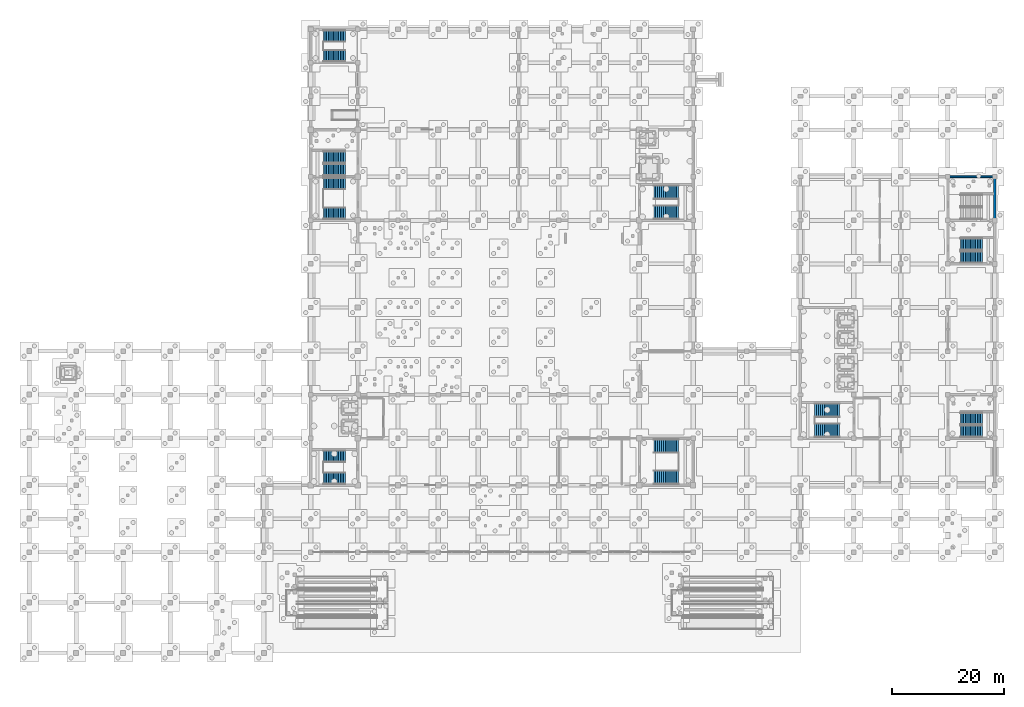
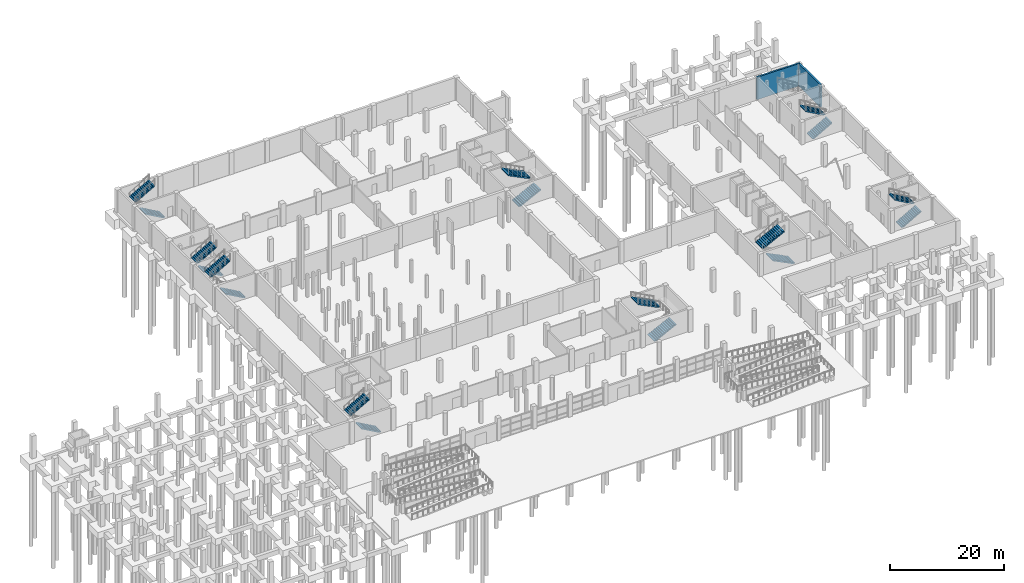
# One storey, part 36 of 42: 18 stair flights, 2 walls, 9 elements without a shape of their own.
"""IFC4 building model written with IfcOpenShell, lengths in metres."""

from ifc_helpers import new_model, si_unit, direction, frame, frame_2d, origin, place, context, subcontext, project, spatial, polyline, rectangle, outline, extrude, material, layer, layer_set, type_object, element, aggregate, save


model = new_model("IFC4")

# Units and contexts
model_context = context("Model", 3, precision=1e-05, world=origin(), true_north=direction((0.0, 1.0)))
body_context = subcontext(model_context, "Body", "Model", "MODEL_VIEW")
ifc_project = project(units=[si_unit("LENGTHUNIT", "METRE"), si_unit("AREAUNIT", "SQUARE_METRE"), si_unit("VOLUMEUNIT", "CUBIC_METRE"), si_unit("PLANEANGLEUNIT", "RADIAN"), si_unit("MASSUNIT", "GRAM", prefix="KILO")], contexts=[model_context])

# Site, building, storey
site_placement = place(None, origin())
site = spatial("IfcSite", under=ifc_project, at=site_placement, CompositionType="ELEMENT")
building_placement = place(site_placement, origin())
building = spatial("IfcBuilding", under=site, at=building_placement, Name="Pellamere Symphony Hall", CompositionType="ELEMENT")
storey_placement = place(building_placement, frame((0.0, 0.0, -4.800048828125)))
storey = spatial("IfcBuildingStorey", under=building, at=storey_placement, Name="B1", CompositionType="ELEMENT", Elevation=-4.800048828125)

# Walls
ifc_material = material(Name="Concrete 40 MPa", Category="concrete")
ifc_layer_1 = layer(ifc_material, 0.35009765625, Name="Concrete 40 MPa")
ifc_layer_set_1 = layer_set([ifc_layer_1], Name="Concrete 40 MPa")
wall_type_1 = type_object("IfcWallType", Name="Structural Wall SW-03 350mm", PredefinedType="SHEAR", material=ifc_layer_set_1)
wall_1_placement = place(storey_placement, frame((164.22509765625, 85.199951171875, 0.0), z_axis=(0.0, 0.0, 1.0), x_axis=(1.0, 0.0, 0.0)))
element("IfcWall", 1, at=wall_1_placement, inside=storey, type_object=wall_type_1, Name="Stair ST14 Enclosure Wall N (B1)", PredefinedType="SHEAR", context=body_context, shape_type="SweptSolid", body=[
    extrude(rectangle(XDim=8.75, YDim=0.35009765625, at=frame_2d((4.375, 0.0))), origin(), (0.0, 0.0, 1.0), 4.800048828125),
])
ifc_layer_2 = layer(ifc_material, 0.3798828125, Name="Concrete 40 MPa")
ifc_layer_set_2 = layer_set([ifc_layer_2], Name="Concrete 40 MPa")
wall_type_2 = type_object("IfcWallType", Name="Structural Wall SW-07 380mm", PredefinedType="SHEAR", material=ifc_layer_set_2)
wall_2_placement = place(storey_placement, frame((172.800048828125, 77.574951171875, 0.0), z_axis=(0.0, 0.0, 1.0), x_axis=(0.0, 1.0, 0.0)))
element("IfcWall", 2, at=wall_2_placement, inside=storey, type_object=wall_type_2, Name="Stair ST14 Enclosure Wall E (B1)", PredefinedType="SHEAR", context=body_context, shape_type="SweptSolid", body=[
    extrude(rectangle(XDim=7.449951171875, YDim=0.3798828125, at=frame_2d((3.72509765625, 0.0))), origin(), (0.0, 0.0, 1.0), 4.800048828125),
])

# Stair, stair flights
stair_type_1 = type_object("IfcStairType", Name="Stair ST-A W2400", PredefinedType="HALF_TURN_STAIR", material=ifc_material)
stair_1_placement = place(storey_placement, origin())
stair_1 = element("IfcStair", 3, at=stair_1_placement, inside=storey, type_object=stair_type_1, Name="Exit Stair ST02-B1 (B1 to L00)", PredefinedType="HALF_TURN_STAIR")
stair_flight_type_1 = type_object("IfcStairFlightType", Name="Stair Flight SF-A W2400", PredefinedType="STRAIGHT", material=ifc_material)
stair_flight_1_placement = place(storey_placement, frame((145.02490234375, 39.760009765625, 0.0), z_axis=(0.0, 0.0, 1.0), x_axis=(-1.0, 0.0, 0.0)))
stair_flight_1 = element("IfcStairFlight", 4, at=stair_flight_1_placement, type_object=stair_flight_type_1, Name="Stair ST02-B1 Lower Flight (B1)", NumberOfRisers=14, NumberOfTreads=13, PredefinedType="STRAIGHT", RiserHeight=0.17143, TreadLength=0.34231, context=body_context, shape_type="SweptSolid", body=[
    extrude(outline(polyline([(0.0, 0.0), (0.0, 0.17138671875), (0.34228515625, 0.17138671875), (0.34228515625, 0.3427734375), (0.6845703125, 0.3427734375), (0.6845703125, 0.514404296875), (1.02685546875, 0.514404296875), (1.02685546875, 0.685791015625), (1.369140625, 0.685791015625), (1.369140625, 0.857177734375), (1.711669921875, 0.857177734375), (1.711669921875, 1.028564453125), (2.053955078125, 1.028564453125), (2.053955078125, 1.199951171875), (2.396240234375, 1.199951171875), (2.396240234375, 1.371337890625), (2.738525390625, 1.371337890625), (2.738525390625, 1.54296875), (3.080810546875, 1.54296875), (3.080810546875, 1.71435546875), (3.423095703125, 1.71435546875), (3.423095703125, 1.8857421875), (3.765380859375, 1.8857421875), (3.765380859375, 2.05712890625), (4.107666015625, 2.05712890625), (4.107666015625, 2.228515625), (4.449951171875, 2.228515625), (4.449951171875, 2.39990234375), (4.449951171875, 2.0048828125), (0.446533203125, 0.0), (0.0, 0.0)])), frame((0.0, 1.199951171875, 0.0), z_axis=(0.0, -1.0, 0.0), x_axis=(1.0, 0.0, 0.0)), (0.0, 0.0, 1.0), 2.39990234375),
])
stair_flight_2_placement = place(storey_placement, frame((140.574951171875, 43.43994140625, 2.400146484375), z_axis=(0.0, 0.0, 1.0), x_axis=(1.0, 0.0, 0.0)))
stair_flight_2 = element("IfcStairFlight", 5, at=stair_flight_2_placement, type_object=stair_flight_type_1, Name="Stair ST02-B1 Upper Flight (B1)", NumberOfRisers=14, NumberOfTreads=13, PredefinedType="STRAIGHT", RiserHeight=0.17143, TreadLength=0.34231, context=body_context, shape_type="SweptSolid", body=[
    extrude(outline(polyline([(0.0, 0.0), (0.0, 0.17138671875), (0.34228515625, 0.17138671875), (0.34228515625, 0.3427734375), (0.6845703125, 0.3427734375), (0.6845703125, 0.514404296875), (1.02685546875, 0.514404296875), (1.02685546875, 0.685791015625), (1.369140625, 0.685791015625), (1.369140625, 0.857177734375), (1.711669921875, 0.857177734375), (1.711669921875, 1.028564453125), (2.053955078125, 1.028564453125), (2.053955078125, 1.199951171875), (2.396240234375, 1.199951171875), (2.396240234375, 1.371337890625), (2.738525390625, 1.371337890625), (2.738525390625, 1.54296875), (3.080810546875, 1.54296875), (3.080810546875, 1.71435546875), (3.423095703125, 1.71435546875), (3.423095703125, 1.8857421875), (3.765380859375, 1.8857421875), (3.765380859375, 2.05712890625), (4.107666015625, 2.05712890625), (4.107666015625, 2.228515625), (4.449951171875, 2.228515625), (4.449951171875, 2.39990234375), (4.449951171875, 2.0048828125), (0.446533203125, 0.0), (0.0, 0.0)])), frame((0.0, 1.199951171875, 0.0), z_axis=(0.0, -1.0, 0.0), x_axis=(1.0, 0.0, 0.0)), (0.0, 0.0, 1.0), 2.39990234375),
])
aggregate(stair_1, [stair_flight_1, stair_flight_2])

stair_2_placement = place(storey_placement, origin())
stair_2 = element("IfcStair", 6, at=stair_2_placement, inside=storey, type_object=stair_type_1, Name="Exit Stair ST04-B1 (B1 to L00)", PredefinedType="HALF_TURN_STAIR")
stair_flight_3_placement = place(storey_placement, frame((111.77490234375, 78.760009765625, 0.0), z_axis=(0.0, 0.0, 1.0), x_axis=(1.0, 0.0, 0.0)))
stair_flight_3 = element("IfcStairFlight", 7, at=stair_flight_3_placement, type_object=stair_flight_type_1, Name="Stair ST04-B1 Lower Flight (B1)", NumberOfRisers=14, NumberOfTreads=13, PredefinedType="STRAIGHT", RiserHeight=0.17143, TreadLength=0.34231, context=body_context, shape_type="SweptSolid", body=[
    extrude(outline(polyline([(0.0, 0.0), (0.0, 0.17138671875), (0.34228515625, 0.17138671875), (0.34228515625, 0.3427734375), (0.6845703125, 0.3427734375), (0.6845703125, 0.514404296875), (1.02685546875, 0.514404296875), (1.02685546875, 0.685791015625), (1.369140625, 0.685791015625), (1.369140625, 0.857177734375), (1.711669921875, 0.857177734375), (1.711669921875, 1.028564453125), (2.053955078125, 1.028564453125), (2.053955078125, 1.199951171875), (2.396240234375, 1.199951171875), (2.396240234375, 1.371337890625), (2.738525390625, 1.371337890625), (2.738525390625, 1.54296875), (3.080810546875, 1.54296875), (3.080810546875, 1.71435546875), (3.423095703125, 1.71435546875), (3.423095703125, 1.8857421875), (3.765380859375, 1.8857421875), (3.765380859375, 2.05712890625), (4.107666015625, 2.05712890625), (4.107666015625, 2.228515625), (4.449951171875, 2.228515625), (4.449951171875, 2.39990234375), (4.449951171875, 2.0048828125), (0.446533203125, 0.0), (0.0, 0.0)])), frame((0.0, 1.199951171875, 0.0), z_axis=(0.0, -1.0, 0.0), x_axis=(1.0, 0.0, 0.0)), (0.0, 0.0, 1.0), 2.39990234375),
])
stair_flight_4_placement = place(storey_placement, frame((116.22509765625, 82.43994140625, 2.400146484375), z_axis=(0.0, 0.0, 1.0), x_axis=(-1.0, 0.0, 0.0)))
stair_flight_4 = element("IfcStairFlight", 8, at=stair_flight_4_placement, type_object=stair_flight_type_1, Name="Stair ST04-B1 Upper Flight (B1)", NumberOfRisers=14, NumberOfTreads=13, PredefinedType="STRAIGHT", RiserHeight=0.17143, TreadLength=0.34231, context=body_context, shape_type="SweptSolid", body=[
    extrude(outline(polyline([(0.0, 0.0), (0.0, 0.17138671875), (0.34228515625, 0.17138671875), (0.34228515625, 0.3427734375), (0.6845703125, 0.3427734375), (0.6845703125, 0.514404296875), (1.02685546875, 0.514404296875), (1.02685546875, 0.685791015625), (1.369140625, 0.685791015625), (1.369140625, 0.857177734375), (1.711669921875, 0.857177734375), (1.711669921875, 1.028564453125), (2.053955078125, 1.028564453125), (2.053955078125, 1.199951171875), (2.396240234375, 1.199951171875), (2.396240234375, 1.371337890625), (2.738525390625, 1.371337890625), (2.738525390625, 1.54296875), (3.080810546875, 1.54296875), (3.080810546875, 1.71435546875), (3.423095703125, 1.71435546875), (3.423095703125, 1.8857421875), (3.765380859375, 1.8857421875), (3.765380859375, 2.05712890625), (4.107666015625, 2.05712890625), (4.107666015625, 2.228515625), (4.449951171875, 2.228515625), (4.449951171875, 2.39990234375), (4.449951171875, 2.0048828125), (0.446533203125, 0.0), (0.0, 0.0)])), frame((0.0, 1.199951171875, 0.0), z_axis=(0.0, -1.0, 0.0), x_axis=(1.0, 0.0, 0.0)), (0.0, 0.0, 1.0), 2.39990234375),
])
aggregate(stair_2, [stair_flight_3, stair_flight_4])

stair_3_placement = place(storey_placement, origin())
stair_3 = element("IfcStair", 9, at=stair_3_placement, inside=storey, type_object=stair_type_1, Name="Exit Stair ST08-B1 (B1 to L00)", PredefinedType="HALF_TURN_STAIR")
stair_flight_5_placement = place(storey_placement, frame((111.77490234375, 31.360107421875, 0.0), z_axis=(0.0, 0.0, 1.0), x_axis=(1.0, 0.0, 0.0)))
stair_flight_5 = element("IfcStairFlight", 10, at=stair_flight_5_placement, type_object=stair_flight_type_1, Name="Stair ST08-B1 Lower Flight (B1)", NumberOfRisers=14, NumberOfTreads=13, PredefinedType="STRAIGHT", RiserHeight=0.17143, TreadLength=0.34231, context=body_context, shape_type="SweptSolid", body=[
    extrude(outline(polyline([(0.0, 0.0), (0.0, 0.17138671875), (0.34228515625, 0.17138671875), (0.34228515625, 0.3427734375), (0.6845703125, 0.3427734375), (0.6845703125, 0.514404296875), (1.02685546875, 0.514404296875), (1.02685546875, 0.685791015625), (1.369140625, 0.685791015625), (1.369140625, 0.857177734375), (1.711669921875, 0.857177734375), (1.711669921875, 1.028564453125), (2.053955078125, 1.028564453125), (2.053955078125, 1.199951171875), (2.396240234375, 1.199951171875), (2.396240234375, 1.371337890625), (2.738525390625, 1.371337890625), (2.738525390625, 1.54296875), (3.080810546875, 1.54296875), (3.080810546875, 1.71435546875), (3.423095703125, 1.71435546875), (3.423095703125, 1.8857421875), (3.765380859375, 1.8857421875), (3.765380859375, 2.05712890625), (4.107666015625, 2.05712890625), (4.107666015625, 2.228515625), (4.449951171875, 2.228515625), (4.449951171875, 2.39990234375), (4.449951171875, 2.0048828125), (0.446533203125, 0.0), (0.0, 0.0)])), frame((0.0, 1.199951171875, 0.0), z_axis=(0.0, -1.0, 0.0), x_axis=(1.0, 0.0, 0.0)), (0.0, 0.0, 1.0), 2.39990234375),
])
stair_flight_6_placement = place(storey_placement, frame((116.22509765625, 37.0400390625, 2.400146484375), z_axis=(0.0, 0.0, 1.0), x_axis=(-1.0, 0.0, 0.0)))
stair_flight_6 = element("IfcStairFlight", 11, at=stair_flight_6_placement, type_object=stair_flight_type_1, Name="Stair ST08-B1 Upper Flight (B1)", NumberOfRisers=14, NumberOfTreads=13, PredefinedType="STRAIGHT", RiserHeight=0.17143, TreadLength=0.34231, context=body_context, shape_type="SweptSolid", body=[
    extrude(outline(polyline([(0.0, 0.0), (0.0, 0.17138671875), (0.34228515625, 0.17138671875), (0.34228515625, 0.3427734375), (0.6845703125, 0.3427734375), (0.6845703125, 0.514404296875), (1.02685546875, 0.514404296875), (1.02685546875, 0.685791015625), (1.369140625, 0.685791015625), (1.369140625, 0.857177734375), (1.711669921875, 0.857177734375), (1.711669921875, 1.028564453125), (2.053955078125, 1.028564453125), (2.053955078125, 1.199951171875), (2.396240234375, 1.199951171875), (2.396240234375, 1.371337890625), (2.738525390625, 1.371337890625), (2.738525390625, 1.54296875), (3.080810546875, 1.54296875), (3.080810546875, 1.71435546875), (3.423095703125, 1.71435546875), (3.423095703125, 1.8857421875), (3.765380859375, 1.8857421875), (3.765380859375, 2.05712890625), (4.107666015625, 2.05712890625), (4.107666015625, 2.228515625), (4.449951171875, 2.228515625), (4.449951171875, 2.39990234375), (4.449951171875, 2.0048828125), (0.446533203125, 0.0), (0.0, 0.0)])), frame((0.0, 1.199951171875, 0.0), z_axis=(0.0, -1.0, 0.0), x_axis=(1.0, 0.0, 0.0)), (0.0, 0.0, 1.0), 2.39990234375),
])
aggregate(stair_3, [stair_flight_5, stair_flight_6])

stair_type_2 = type_object("IfcStairType", Name="Stair ST-B W2050", PredefinedType="HALF_TURN_STAIR", material=ifc_material)
stair_4_placement = place(storey_placement, origin())
stair_4 = element("IfcStair", 12, at=stair_4_placement, inside=storey, type_object=stair_type_2, Name="Exit Stair ST01-B1 (B1 to L00)", PredefinedType="HALF_TURN_STAIR")
stair_flight_type_2 = type_object("IfcStairFlightType", Name="Stair Flight SF-B W2050", PredefinedType="STRAIGHT", material=ifc_material)
stair_flight_7_placement = place(storey_placement, frame((56.574951171875, 31.18505859375, 0.0), z_axis=(0.0, 0.0, 1.0), x_axis=(-1.0, 0.0, 0.0)))
stair_flight_7 = element("IfcStairFlight", 13, at=stair_flight_7_placement, type_object=stair_flight_type_2, Name="Stair ST01-B1 Lower Flight (B1)", NumberOfRisers=14, NumberOfTreads=13, PredefinedType="STRAIGHT", RiserHeight=0.17143, TreadLength=0.30385, context=body_context, shape_type="SweptSolid", body=[
    extrude(outline(polyline([(0.0, 0.0), (0.0, 0.17138671875), (0.303955078125, 0.17138671875), (0.303955078125, 0.3427734375), (0.607666015625, 0.3427734375), (0.607666015625, 0.514404296875), (0.91162109375, 0.514404296875), (0.91162109375, 0.685791015625), (1.21533203125, 0.685791015625), (1.21533203125, 0.857177734375), (1.519287109375, 0.857177734375), (1.519287109375, 1.028564453125), (1.822998046875, 1.028564453125), (1.822998046875, 1.199951171875), (2.126953125, 1.199951171875), (2.126953125, 1.371337890625), (2.430908203125, 1.371337890625), (2.430908203125, 1.54296875), (2.734619140625, 1.54296875), (2.734619140625, 1.71435546875), (3.03857421875, 1.71435546875), (3.03857421875, 1.8857421875), (3.34228515625, 1.8857421875), (3.34228515625, 2.05712890625), (3.646240234375, 2.05712890625), (3.646240234375, 2.228515625), (3.949951171875, 2.228515625), (3.949951171875, 2.39990234375), (3.949951171875, 1.9990234375), (0.406982421875, 0.0), (0.0, 0.0)])), frame((0.0, 1.02490234375, 0.0), z_axis=(0.0, -1.0, 0.0), x_axis=(1.0, 0.0, 0.0)), (0.0, 0.0, 1.0), 2.050048828125),
])
stair_flight_8_placement = place(storey_placement, frame((52.625, 35.215087890625, 2.400146484375), z_axis=(0.0, 0.0, 1.0), x_axis=(1.0, 0.0, 0.0)))
stair_flight_8 = element("IfcStairFlight", 14, at=stair_flight_8_placement, type_object=stair_flight_type_2, Name="Stair ST01-B1 Upper Flight (B1)", NumberOfRisers=14, NumberOfTreads=13, PredefinedType="STRAIGHT", RiserHeight=0.17143, TreadLength=0.30385, context=body_context, shape_type="SweptSolid", body=[
    extrude(outline(polyline([(0.0, 0.0), (0.0, 0.17138671875), (0.303955078125, 0.17138671875), (0.303955078125, 0.3427734375), (0.607666015625, 0.3427734375), (0.607666015625, 0.514404296875), (0.91162109375, 0.514404296875), (0.91162109375, 0.685791015625), (1.21533203125, 0.685791015625), (1.21533203125, 0.857177734375), (1.519287109375, 0.857177734375), (1.519287109375, 1.028564453125), (1.822998046875, 1.028564453125), (1.822998046875, 1.199951171875), (2.126953125, 1.199951171875), (2.126953125, 1.371337890625), (2.430908203125, 1.371337890625), (2.430908203125, 1.54296875), (2.734619140625, 1.54296875), (2.734619140625, 1.71435546875), (3.03857421875, 1.71435546875), (3.03857421875, 1.8857421875), (3.34228515625, 1.8857421875), (3.34228515625, 2.05712890625), (3.646240234375, 2.05712890625), (3.646240234375, 2.228515625), (3.949951171875, 2.228515625), (3.949951171875, 2.39990234375), (3.949951171875, 1.9990234375), (0.406982421875, 0.0), (0.0, 0.0)])), frame((0.0, 1.02490234375, 0.0), z_axis=(0.0, -1.0, 0.0), x_axis=(1.0, 0.0, 0.0)), (0.0, 0.0, 1.0), 2.050048828125),
])
aggregate(stair_4, [stair_flight_7, stair_flight_8])

stair_5_placement = place(storey_placement, origin())
stair_5 = element("IfcStair", 15, at=stair_5_placement, inside=storey, type_object=stair_type_2, Name="Exit Stair ST05-B1 (B1 to L00)", PredefinedType="HALF_TURN_STAIR")
stair_flight_9_placement = place(storey_placement, frame((166.625, 70.784912109375, 0.0), z_axis=(0.0, 0.0, 1.0), x_axis=(1.0, 0.0, 0.0)))
stair_flight_9 = element("IfcStairFlight", 16, at=stair_flight_9_placement, type_object=stair_flight_type_2, Name="Stair ST05-B1 Lower Flight (B1)", NumberOfRisers=14, NumberOfTreads=13, PredefinedType="STRAIGHT", RiserHeight=0.17143, TreadLength=0.30385, context=body_context, shape_type="SweptSolid", body=[
    extrude(outline(polyline([(0.0, 0.0), (0.0, 0.17138671875), (0.303955078125, 0.17138671875), (0.303955078125, 0.3427734375), (0.607666015625, 0.3427734375), (0.607666015625, 0.514404296875), (0.91162109375, 0.514404296875), (0.91162109375, 0.685791015625), (1.21533203125, 0.685791015625), (1.21533203125, 0.857177734375), (1.519287109375, 0.857177734375), (1.519287109375, 1.028564453125), (1.822998046875, 1.028564453125), (1.822998046875, 1.199951171875), (2.126953125, 1.199951171875), (2.126953125, 1.371337890625), (2.430908203125, 1.371337890625), (2.430908203125, 1.54296875), (2.734619140625, 1.54296875), (2.734619140625, 1.71435546875), (3.03857421875, 1.71435546875), (3.03857421875, 1.8857421875), (3.34228515625, 1.8857421875), (3.34228515625, 2.05712890625), (3.646240234375, 2.05712890625), (3.646240234375, 2.228515625), (3.949951171875, 2.228515625), (3.949951171875, 2.39990234375), (3.949951171875, 1.9990234375), (0.406982421875, 0.0), (0.0, 0.0)])), frame((0.0, 1.02490234375, 0.0), z_axis=(0.0, -1.0, 0.0), x_axis=(1.0, 0.0, 0.0)), (0.0, 0.0, 1.0), 2.050048828125),
])
stair_flight_10_placement = place(storey_placement, frame((170.574951171875, 73.175048828125, 2.400146484375), z_axis=(0.0, 0.0, 1.0), x_axis=(-1.0, 0.0, 0.0)))
stair_flight_10 = element("IfcStairFlight", 17, at=stair_flight_10_placement, type_object=stair_flight_type_2, Name="Stair ST05-B1 Upper Flight (B1)", NumberOfRisers=14, NumberOfTreads=13, PredefinedType="STRAIGHT", RiserHeight=0.17143, TreadLength=0.30385, context=body_context, shape_type="SweptSolid", body=[
    extrude(outline(polyline([(0.0, 0.0), (0.0, 0.17138671875), (0.303955078125, 0.17138671875), (0.303955078125, 0.3427734375), (0.607666015625, 0.3427734375), (0.607666015625, 0.514404296875), (0.91162109375, 0.514404296875), (0.91162109375, 0.685791015625), (1.21533203125, 0.685791015625), (1.21533203125, 0.857177734375), (1.519287109375, 0.857177734375), (1.519287109375, 1.028564453125), (1.822998046875, 1.028564453125), (1.822998046875, 1.199951171875), (2.126953125, 1.199951171875), (2.126953125, 1.371337890625), (2.430908203125, 1.371337890625), (2.430908203125, 1.54296875), (2.734619140625, 1.54296875), (2.734619140625, 1.71435546875), (3.03857421875, 1.71435546875), (3.03857421875, 1.8857421875), (3.34228515625, 1.8857421875), (3.34228515625, 2.05712890625), (3.646240234375, 2.05712890625), (3.646240234375, 2.228515625), (3.949951171875, 2.228515625), (3.949951171875, 2.39990234375), (3.949951171875, 1.9990234375), (0.406982421875, 0.0), (0.0, 0.0)])), frame((0.0, 1.02490234375, 0.0), z_axis=(0.0, -1.0, 0.0), x_axis=(1.0, 0.0, 0.0)), (0.0, 0.0, 1.0), 2.050048828125),
])
aggregate(stair_5, [stair_flight_9, stair_flight_10])

stair_6_placement = place(storey_placement, origin())
stair_6 = element("IfcStair", 18, at=stair_6_placement, inside=storey, type_object=stair_type_2, Name="Exit Stair ST06-B1 (B1 to L00)", PredefinedType="HALF_TURN_STAIR")
stair_flight_11_placement = place(storey_placement, frame((166.625, 39.5849609375, 0.0), z_axis=(0.0, 0.0, 1.0), x_axis=(1.0, 0.0, 0.0)))
stair_flight_11 = element("IfcStairFlight", 19, at=stair_flight_11_placement, type_object=stair_flight_type_2, Name="Stair ST06-B1 Lower Flight (B1)", NumberOfRisers=14, NumberOfTreads=13, PredefinedType="STRAIGHT", RiserHeight=0.17143, TreadLength=0.30385, context=body_context, shape_type="SweptSolid", body=[
    extrude(outline(polyline([(0.0, 0.0), (0.0, 0.17138671875), (0.303955078125, 0.17138671875), (0.303955078125, 0.3427734375), (0.607666015625, 0.3427734375), (0.607666015625, 0.514404296875), (0.91162109375, 0.514404296875), (0.91162109375, 0.685791015625), (1.21533203125, 0.685791015625), (1.21533203125, 0.857177734375), (1.519287109375, 0.857177734375), (1.519287109375, 1.028564453125), (1.822998046875, 1.028564453125), (1.822998046875, 1.199951171875), (2.126953125, 1.199951171875), (2.126953125, 1.371337890625), (2.430908203125, 1.371337890625), (2.430908203125, 1.54296875), (2.734619140625, 1.54296875), (2.734619140625, 1.71435546875), (3.03857421875, 1.71435546875), (3.03857421875, 1.8857421875), (3.34228515625, 1.8857421875), (3.34228515625, 2.05712890625), (3.646240234375, 2.05712890625), (3.646240234375, 2.228515625), (3.949951171875, 2.228515625), (3.949951171875, 2.39990234375), (3.949951171875, 1.9990234375), (0.406982421875, 0.0), (0.0, 0.0)])), frame((0.0, 1.02490234375, 0.0), z_axis=(0.0, -1.0, 0.0), x_axis=(1.0, 0.0, 0.0)), (0.0, 0.0, 1.0), 2.050048828125),
])
stair_flight_12_placement = place(storey_placement, frame((170.574951171875, 41.97509765625, 2.400146484375), z_axis=(0.0, 0.0, 1.0), x_axis=(-1.0, 0.0, 0.0)))
stair_flight_12 = element("IfcStairFlight", 20, at=stair_flight_12_placement, type_object=stair_flight_type_2, Name="Stair ST06-B1 Upper Flight (B1)", NumberOfRisers=14, NumberOfTreads=13, PredefinedType="STRAIGHT", RiserHeight=0.17143, TreadLength=0.30385, context=body_context, shape_type="SweptSolid", body=[
    extrude(outline(polyline([(0.0, 0.0), (0.0, 0.17138671875), (0.303955078125, 0.17138671875), (0.303955078125, 0.3427734375), (0.607666015625, 0.3427734375), (0.607666015625, 0.514404296875), (0.91162109375, 0.514404296875), (0.91162109375, 0.685791015625), (1.21533203125, 0.685791015625), (1.21533203125, 0.857177734375), (1.519287109375, 0.857177734375), (1.519287109375, 1.028564453125), (1.822998046875, 1.028564453125), (1.822998046875, 1.199951171875), (2.126953125, 1.199951171875), (2.126953125, 1.371337890625), (2.430908203125, 1.371337890625), (2.430908203125, 1.54296875), (2.734619140625, 1.54296875), (2.734619140625, 1.71435546875), (3.03857421875, 1.71435546875), (3.03857421875, 1.8857421875), (3.34228515625, 1.8857421875), (3.34228515625, 2.05712890625), (3.646240234375, 2.05712890625), (3.646240234375, 2.228515625), (3.949951171875, 2.228515625), (3.949951171875, 2.39990234375), (3.949951171875, 1.9990234375), (0.406982421875, 0.0), (0.0, 0.0)])), frame((0.0, 1.02490234375, 0.0), z_axis=(0.0, -1.0, 0.0), x_axis=(1.0, 0.0, 0.0)), (0.0, 0.0, 1.0), 2.050048828125),
])
aggregate(stair_6, [stair_flight_11, stair_flight_12])

stair_7_placement = place(storey_placement, origin())
stair_7 = element("IfcStair", 21, at=stair_7_placement, inside=storey, type_object=stair_type_2, Name="Exit Stair ST07-B1 (B1 to L00)", PredefinedType="HALF_TURN_STAIR")
stair_flight_13_placement = place(storey_placement, frame((56.574951171875, 78.5849609375, 0.0), z_axis=(0.0, 0.0, 1.0), x_axis=(-1.0, 0.0, 0.0)))
stair_flight_13 = element("IfcStairFlight", 22, at=stair_flight_13_placement, type_object=stair_flight_type_2, Name="Stair ST07-B1 Lower Flight (B1)", NumberOfRisers=14, NumberOfTreads=13, PredefinedType="STRAIGHT", RiserHeight=0.17143, TreadLength=0.30385, context=body_context, shape_type="SweptSolid", body=[
    extrude(outline(polyline([(0.0, 0.0), (0.0, 0.17138671875), (0.303955078125, 0.17138671875), (0.303955078125, 0.3427734375), (0.607666015625, 0.3427734375), (0.607666015625, 0.514404296875), (0.91162109375, 0.514404296875), (0.91162109375, 0.685791015625), (1.21533203125, 0.685791015625), (1.21533203125, 0.857177734375), (1.519287109375, 0.857177734375), (1.519287109375, 1.028564453125), (1.822998046875, 1.028564453125), (1.822998046875, 1.199951171875), (2.126953125, 1.199951171875), (2.126953125, 1.371337890625), (2.430908203125, 1.371337890625), (2.430908203125, 1.54296875), (2.734619140625, 1.54296875), (2.734619140625, 1.71435546875), (3.03857421875, 1.71435546875), (3.03857421875, 1.8857421875), (3.34228515625, 1.8857421875), (3.34228515625, 2.05712890625), (3.646240234375, 2.05712890625), (3.646240234375, 2.228515625), (3.949951171875, 2.228515625), (3.949951171875, 2.39990234375), (3.949951171875, 1.9990234375), (0.406982421875, 0.0), (0.0, 0.0)])), frame((0.0, 1.02490234375, 0.0), z_axis=(0.0, -1.0, 0.0), x_axis=(1.0, 0.0, 0.0)), (0.0, 0.0, 1.0), 2.050048828125),
])
stair_flight_14_placement = place(storey_placement, frame((52.625, 84.014892578125, 2.400146484375), z_axis=(0.0, 0.0, 1.0), x_axis=(1.0, 0.0, 0.0)))
stair_flight_14 = element("IfcStairFlight", 23, at=stair_flight_14_placement, type_object=stair_flight_type_2, Name="Stair ST07-B1 Upper Flight (B1)", NumberOfRisers=14, NumberOfTreads=13, PredefinedType="STRAIGHT", RiserHeight=0.17143, TreadLength=0.30385, context=body_context, shape_type="SweptSolid", body=[
    extrude(outline(polyline([(0.0, 0.0), (0.0, 0.17138671875), (0.303955078125, 0.17138671875), (0.303955078125, 0.3427734375), (0.607666015625, 0.3427734375), (0.607666015625, 0.514404296875), (0.91162109375, 0.514404296875), (0.91162109375, 0.685791015625), (1.21533203125, 0.685791015625), (1.21533203125, 0.857177734375), (1.519287109375, 0.857177734375), (1.519287109375, 1.028564453125), (1.822998046875, 1.028564453125), (1.822998046875, 1.199951171875), (2.126953125, 1.199951171875), (2.126953125, 1.371337890625), (2.430908203125, 1.371337890625), (2.430908203125, 1.54296875), (2.734619140625, 1.54296875), (2.734619140625, 1.71435546875), (3.03857421875, 1.71435546875), (3.03857421875, 1.8857421875), (3.34228515625, 1.8857421875), (3.34228515625, 2.05712890625), (3.646240234375, 2.05712890625), (3.646240234375, 2.228515625), (3.949951171875, 2.228515625), (3.949951171875, 2.39990234375), (3.949951171875, 1.9990234375), (0.406982421875, 0.0), (0.0, 0.0)])), frame((0.0, 1.02490234375, 0.0), z_axis=(0.0, -1.0, 0.0), x_axis=(1.0, 0.0, 0.0)), (0.0, 0.0, 1.0), 2.050048828125),
])
aggregate(stair_7, [stair_flight_13, stair_flight_14])

stair_8_placement = place(storey_placement, origin())
stair_8 = element("IfcStair", 24, at=stair_8_placement, inside=storey, type_object=stair_type_2, Name="Exit Stair ST10-B1 (B1 to L00)", PredefinedType="HALF_TURN_STAIR")
stair_flight_15_placement = place(storey_placement, frame((56.574951171875, 106.784912109375, 0.0), z_axis=(0.0, 0.0, 1.0), x_axis=(-1.0, 0.0, 0.0)))
stair_flight_15 = element("IfcStairFlight", 25, at=stair_flight_15_placement, type_object=stair_flight_type_2, Name="Stair ST10-B1 Lower Flight (B1)", NumberOfRisers=14, NumberOfTreads=13, PredefinedType="STRAIGHT", RiserHeight=0.17143, TreadLength=0.30385, context=body_context, shape_type="SweptSolid", body=[
    extrude(outline(polyline([(0.0, 0.0), (0.0, 0.17138671875), (0.303955078125, 0.17138671875), (0.303955078125, 0.3427734375), (0.607666015625, 0.3427734375), (0.607666015625, 0.514404296875), (0.91162109375, 0.514404296875), (0.91162109375, 0.685791015625), (1.21533203125, 0.685791015625), (1.21533203125, 0.857177734375), (1.519287109375, 0.857177734375), (1.519287109375, 1.028564453125), (1.822998046875, 1.028564453125), (1.822998046875, 1.199951171875), (2.126953125, 1.199951171875), (2.126953125, 1.371337890625), (2.430908203125, 1.371337890625), (2.430908203125, 1.54296875), (2.734619140625, 1.54296875), (2.734619140625, 1.71435546875), (3.03857421875, 1.71435546875), (3.03857421875, 1.8857421875), (3.34228515625, 1.8857421875), (3.34228515625, 2.05712890625), (3.646240234375, 2.05712890625), (3.646240234375, 2.228515625), (3.949951171875, 2.228515625), (3.949951171875, 2.39990234375), (3.949951171875, 1.9990234375), (0.406982421875, 0.0), (0.0, 0.0)])), frame((0.0, 1.02490234375, 0.0), z_axis=(0.0, -1.0, 0.0), x_axis=(1.0, 0.0, 0.0)), (0.0, 0.0, 1.0), 2.050048828125),
])
stair_flight_16_placement = place(storey_placement, frame((52.625, 110.4150390625, 2.400146484375), z_axis=(0.0, 0.0, 1.0), x_axis=(1.0, 0.0, 0.0)))
stair_flight_16 = element("IfcStairFlight", 26, at=stair_flight_16_placement, type_object=stair_flight_type_2, Name="Stair ST10-B1 Upper Flight (B1)", NumberOfRisers=14, NumberOfTreads=13, PredefinedType="STRAIGHT", RiserHeight=0.17143, TreadLength=0.30385, context=body_context, shape_type="SweptSolid", body=[
    extrude(outline(polyline([(0.0, 0.0), (0.0, 0.17138671875), (0.303955078125, 0.17138671875), (0.303955078125, 0.3427734375), (0.607666015625, 0.3427734375), (0.607666015625, 0.514404296875), (0.91162109375, 0.514404296875), (0.91162109375, 0.685791015625), (1.21533203125, 0.685791015625), (1.21533203125, 0.857177734375), (1.519287109375, 0.857177734375), (1.519287109375, 1.028564453125), (1.822998046875, 1.028564453125), (1.822998046875, 1.199951171875), (2.126953125, 1.199951171875), (2.126953125, 1.371337890625), (2.430908203125, 1.371337890625), (2.430908203125, 1.54296875), (2.734619140625, 1.54296875), (2.734619140625, 1.71435546875), (3.03857421875, 1.71435546875), (3.03857421875, 1.8857421875), (3.34228515625, 1.8857421875), (3.34228515625, 2.05712890625), (3.646240234375, 2.05712890625), (3.646240234375, 2.228515625), (3.949951171875, 2.228515625), (3.949951171875, 2.39990234375), (3.949951171875, 1.9990234375), (0.406982421875, 0.0), (0.0, 0.0)])), frame((0.0, 1.02490234375, 0.0), z_axis=(0.0, -1.0, 0.0), x_axis=(1.0, 0.0, 0.0)), (0.0, 0.0, 1.0), 2.050048828125),
])
aggregate(stair_8, [stair_flight_15, stair_flight_16])

stair_9_placement = place(storey_placement, origin())
stair_9 = element("IfcStair", 27, at=stair_9_placement, inside=storey, type_object=stair_type_2, Name="Exit Stair ST13-B1 (B1 to L00)", PredefinedType="HALF_TURN_STAIR")
stair_flight_17_placement = place(storey_placement, frame((56.574951171875, 86.385009765625, 0.0), z_axis=(0.0, 0.0, 1.0), x_axis=(-1.0, 0.0, 0.0)))
stair_flight_17 = element("IfcStairFlight", 28, at=stair_flight_17_placement, type_object=stair_flight_type_2, Name="Stair ST13-B1 Lower Flight (B1)", NumberOfRisers=14, NumberOfTreads=13, PredefinedType="STRAIGHT", RiserHeight=0.17143, TreadLength=0.30385, context=body_context, shape_type="SweptSolid", body=[
    extrude(outline(polyline([(0.0, 0.0), (0.0, 0.17138671875), (0.303955078125, 0.17138671875), (0.303955078125, 0.3427734375), (0.607666015625, 0.3427734375), (0.607666015625, 0.514404296875), (0.91162109375, 0.514404296875), (0.91162109375, 0.685791015625), (1.21533203125, 0.685791015625), (1.21533203125, 0.857177734375), (1.519287109375, 0.857177734375), (1.519287109375, 1.028564453125), (1.822998046875, 1.028564453125), (1.822998046875, 1.199951171875), (2.126953125, 1.199951171875), (2.126953125, 1.371337890625), (2.430908203125, 1.371337890625), (2.430908203125, 1.54296875), (2.734619140625, 1.54296875), (2.734619140625, 1.71435546875), (3.03857421875, 1.71435546875), (3.03857421875, 1.8857421875), (3.34228515625, 1.8857421875), (3.34228515625, 2.05712890625), (3.646240234375, 2.05712890625), (3.646240234375, 2.228515625), (3.949951171875, 2.228515625), (3.949951171875, 2.39990234375), (3.949951171875, 1.9990234375), (0.406982421875, 0.0), (0.0, 0.0)])), frame((0.0, 1.02490234375, 0.0), z_axis=(0.0, -1.0, 0.0), x_axis=(1.0, 0.0, 0.0)), (0.0, 0.0, 1.0), 2.050048828125),
])
stair_flight_18_placement = place(storey_placement, frame((52.625, 88.77490234375, 2.400146484375), z_axis=(0.0, 0.0, 1.0), x_axis=(1.0, 0.0, 0.0)))
stair_flight_18 = element("IfcStairFlight", 29, at=stair_flight_18_placement, type_object=stair_flight_type_2, Name="Stair ST13-B1 Upper Flight (B1)", NumberOfRisers=14, NumberOfTreads=13, PredefinedType="STRAIGHT", RiserHeight=0.17143, TreadLength=0.30385, context=body_context, shape_type="SweptSolid", body=[
    extrude(outline(polyline([(0.0, 0.0), (0.0, 0.17138671875), (0.303955078125, 0.17138671875), (0.303955078125, 0.3427734375), (0.607666015625, 0.3427734375), (0.607666015625, 0.514404296875), (0.91162109375, 0.514404296875), (0.91162109375, 0.685791015625), (1.21533203125, 0.685791015625), (1.21533203125, 0.857177734375), (1.519287109375, 0.857177734375), (1.519287109375, 1.028564453125), (1.822998046875, 1.028564453125), (1.822998046875, 1.199951171875), (2.126953125, 1.199951171875), (2.126953125, 1.371337890625), (2.430908203125, 1.371337890625), (2.430908203125, 1.54296875), (2.734619140625, 1.54296875), (2.734619140625, 1.71435546875), (3.03857421875, 1.71435546875), (3.03857421875, 1.8857421875), (3.34228515625, 1.8857421875), (3.34228515625, 2.05712890625), (3.646240234375, 2.05712890625), (3.646240234375, 2.228515625), (3.949951171875, 2.228515625), (3.949951171875, 2.39990234375), (3.949951171875, 1.9990234375), (0.406982421875, 0.0), (0.0, 0.0)])), frame((0.0, 1.02490234375, 0.0), z_axis=(0.0, -1.0, 0.0), x_axis=(1.0, 0.0, 0.0)), (0.0, 0.0, 1.0), 2.050048828125),
])
aggregate(stair_9, [stair_flight_17, stair_flight_18])

save(model, "model.ifc")
